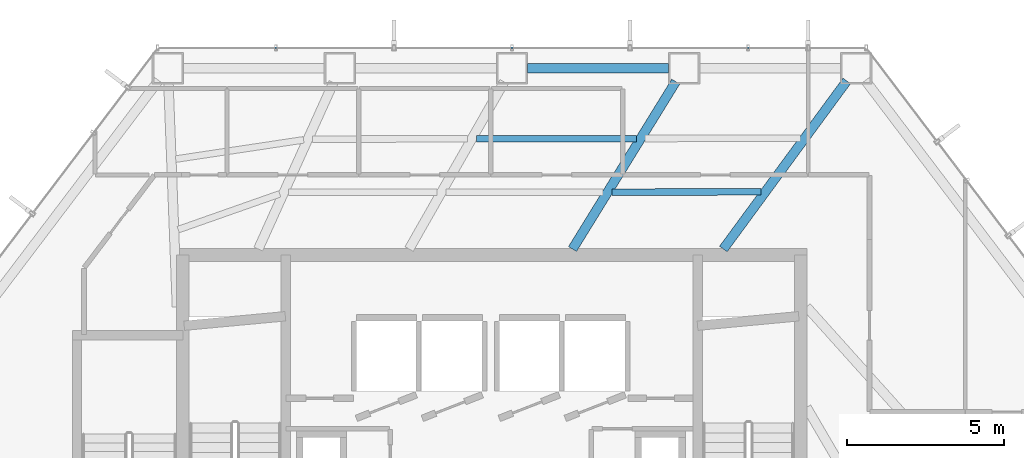
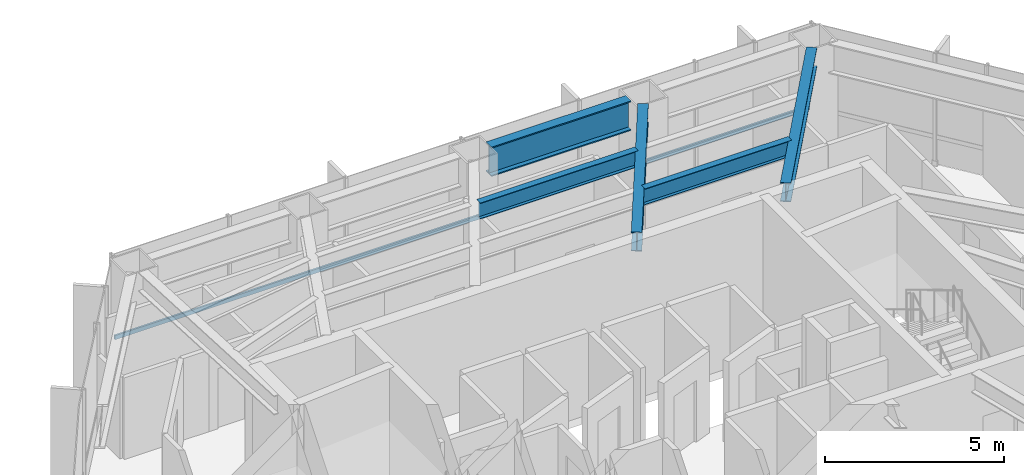
# One storey, part 14 of 25: 5 beams, 1 member, 1 element without a shape of its own.
"""IFC4 building model written with IfcOpenShell, lengths in metres."""

from ifc_helpers import new_model, si_unit, direction, frame, origin, origin_2d, place, context, subcontext, project, spatial, hollow_rectangle, i_section, extrude, material, layer, layer_set, material_profile, profile_set, type_object, element, aggregate, save


model = new_model("IFC4")

# Units and contexts
model_context = context("Model", 3, precision=1e-05, world=origin(), true_north=direction((0.0, 1.0)))
body_context = subcontext(model_context, "Body", "Model", "MODEL_VIEW")
ifc_project = project(units=[si_unit("LENGTHUNIT", "METRE"), si_unit("AREAUNIT", "SQUARE_METRE"), si_unit("VOLUMEUNIT", "CUBIC_METRE"), si_unit("PLANEANGLEUNIT", "RADIAN"), si_unit("MASSUNIT", "GRAM", prefix="KILO")], contexts=[model_context])

# Site, building, storey
site_placement = place(None, origin())
site = spatial("IfcSite", under=ifc_project, at=site_placement, CompositionType="ELEMENT")
building_placement = place(site_placement, origin())
building = spatial("IfcBuilding", under=site, at=building_placement, Name="Zarrinselat Tower", CompositionType="ELEMENT")
storey_placement = place(building_placement, frame((0.0, 0.0, 43.860107421875)))
storey = spatial("IfcBuildingStorey", under=building, at=storey_placement, Name="L10", CompositionType="ELEMENT", Elevation=43.860107421875)

# Beams
ifc_material_1 = material(Name="Steel S355J2", Category="steel")
ifc_material_profile_1 = material_profile(ifc_material_1, i_section(OverallWidth=0.300048828125, OverallDepth=0.64990234375, WebThickness=0.01611328125, FlangeThickness=0.031005859375, at=origin_2d()), Name="HEB 650")
ifc_profile_set_1 = profile_set([ifc_material_profile_1], Name="Steel S355J2")
beam_type_1 = type_object("IfcBeamType", Name="BM-HEB650", PredefinedType="BEAM", material=ifc_profile_set_1)
beam_1_placement = place(storey_placement, frame((45.800048828125, 43.639892578125, 3.494873046875), z_axis=(0.591948703852, 0.805975639835, 0.0), x_axis=(-0.805975639835, 0.591948703852, 0.0)))
element("IfcBeam", 1, at=beam_1_placement, inside=storey, type_object=beam_type_1, Name="L10 Radial Primary Girder RG01", PredefinedType="BEAM", context=body_context, shape_type="SweptSolid", body=[
    extrude(i_section(OverallWidth=0.300048828125, OverallDepth=0.64990234375, WebThickness=0.01611328125, FlangeThickness=0.031005859375, at=origin_2d()), origin(), (0.0, 0.0, 1.0), 6.6376953125),
])
beam_2_placement = place(storey_placement, frame((41.0, 43.639892578125, 3.494873046875), z_axis=(0.525050228917, 0.851071240916, 0.0), x_axis=(-0.851071240916, 0.525050228917, 0.0)))
element("IfcBeam", 2, at=beam_2_placement, inside=storey, type_object=beam_type_1, Name="L10 Radial Primary Girder RG02", PredefinedType="BEAM", context=body_context, shape_type="SweptSolid", body=[
    extrude(i_section(OverallWidth=0.300048828125, OverallDepth=0.64990234375, WebThickness=0.01611328125, FlangeThickness=0.031005859375, at=origin_2d()), origin(), (0.0, 0.0, 1.0), 6.259521484375),
])
ifc_material_2 = material(Name="Steel S460M", Category="steel")
ifc_material_profile_2 = material_profile(ifc_material_2, i_section(OverallWidth=0.302001953125, OverallDepth=1.008056640625, WebThickness=0.02099609375, FlangeThickness=0.0400390625, at=origin_2d()), Name="HEM 1000")
ifc_profile_set_2 = profile_set([ifc_material_profile_2], Name="Steel S460M")
beam_type_2 = type_object("IfcBeamType", Name="BM-HEM1000", PredefinedType="BEAM", material=ifc_profile_set_2)
beam_3_placement = place(storey_placement, frame((39.562255859375, 49.394287109375, 3.31591796875), z_axis=(1.0, 0.0, 0.0), x_axis=(0.0, 1.0, 0.0)))
element("IfcBeam", 3, at=beam_3_placement, inside=storey, type_object=beam_type_2, Name="L10 Perimeter Spandrel Girder SP02", PredefinedType="BEAM", context=body_context, shape_type="SweptSolid", body=[
    extrude(i_section(OverallWidth=0.302001953125, OverallDepth=1.008056640625, WebThickness=0.02099609375, FlangeThickness=0.0400390625, at=origin_2d()), origin(), (0.0, 0.0, 1.0), 4.5),
])
ifc_material_3 = material(Name="Steel S355J2", Category="steel")
ifc_material_profile_3 = material_profile(ifc_material_3, i_section(OverallWidth=0.2099609375, OverallDepth=0.550048828125, WebThickness=0.010986328125, FlangeThickness=0.01708984375, at=origin_2d()), Name="IPE 550")
ifc_profile_set_3 = profile_set([ifc_material_profile_3], Name="Steel S355J2")
beam_type_3 = type_object("IfcBeamType", Name="BM-IPE550", PredefinedType="JOIST", material=ifc_profile_set_3)
beam_4_placement = place(storey_placement, frame((42.257568359375, 45.451416015625, 3.544921875), z_axis=(0.999998805324, 0.001545752481, 0.0), x_axis=(-0.001545752481, 0.999998805324, 0.0)))
element("IfcBeam", 4, at=beam_4_placement, inside=storey, type_object=beam_type_3, Name="L10 Composite Floor Joist 7-2", PredefinedType="JOIST", context=body_context, shape_type="SweptSolid", body=[
    extrude(i_section(OverallWidth=0.2099609375, OverallDepth=0.550048828125, WebThickness=0.010986328125, FlangeThickness=0.01708984375, at=origin_2d()), origin(), (0.0, 0.0, 1.0), 4.73828125),
])
beam_5_placement = place(storey_placement, frame((37.93701171875, 47.150146484375, 3.544921875), z_axis=(0.999999392033, 0.001102693739, 0.0), x_axis=(-0.001102693739, 0.999999392033, 0.0)))
element("IfcBeam", 5, at=beam_5_placement, inside=storey, type_object=beam_type_3, Name="L10 Composite Floor Joist 8-1", PredefinedType="JOIST", context=body_context, shape_type="SweptSolid", body=[
    extrude(i_section(OverallWidth=0.2099609375, OverallDepth=0.550048828125, WebThickness=0.010986328125, FlangeThickness=0.01708984375, at=origin_2d()), origin(), (0.0, 0.0, 1.0), 5.09228515625),
])

# Curtain wall, member
ifc_material_4 = material(Name="Extruded Aluminium Alloy EN AW-6063 T6", Category="aluminium")
ifc_layer = layer(ifc_material_4, 0.18505859375)
ifc_layer_set = layer_set([ifc_layer], Name="Extruded Aluminium Alloy EN AW-6063 T6")
curtain_wall_type = type_object("IfcCurtainWallType", Name="CWS-OFF", PredefinedType="NOTDEFINED", material=ifc_layer_set)
curtain_wall_placement = place(storey_placement, origin())
curtain_wall = element("IfcCurtainWall", 6, at=curtain_wall_placement, inside=storey, type_object=curtain_wall_type, Name="L10 Unitised Curtain Wall CW-L10-E01", PredefinedType="NOTDEFINED")
ifc_material_5 = material(Name="Extruded Aluminium Alloy EN AW-6063 T6", Category="aluminium")
ifc_material_profile_4 = material_profile(ifc_material_5, hollow_rectangle(XDim=0.06005859375, YDim=0.139892578125, WallThickness=0.00390625, at=origin_2d()), Name="RHS 140x60x4")
ifc_profile_set_4 = profile_set([ifc_material_profile_4], Name="Extruded Aluminium Alloy EN AW-6063 T6")
member_type = type_object("IfcMemberType", Name="MEM-CW-TRN", PredefinedType="USERDEFINED", material=ifc_profile_set_4)
member_placement = place(storey_placement, frame((50.259521484375, 50.04443359375, 0.949951171875), z_axis=(-1.0, 0.0, 0.0), x_axis=(0.0, -1.0, 0.0)))
member = element("IfcMember", 7, at=member_placement, type_object=member_type, Name="CW-L10-E01 Transom 1", ObjectType="TRANSOM", PredefinedType="USERDEFINED", context=body_context, shape_type="SweptSolid", body=[
    extrude(hollow_rectangle(XDim=0.06005859375, YDim=0.139892578125, WallThickness=0.00390625, at=origin_2d()), origin(), (0.0, 0.0, 1.0), 22.370361328125),
])
aggregate(curtain_wall, [member])

save(model, "model.ifc")
